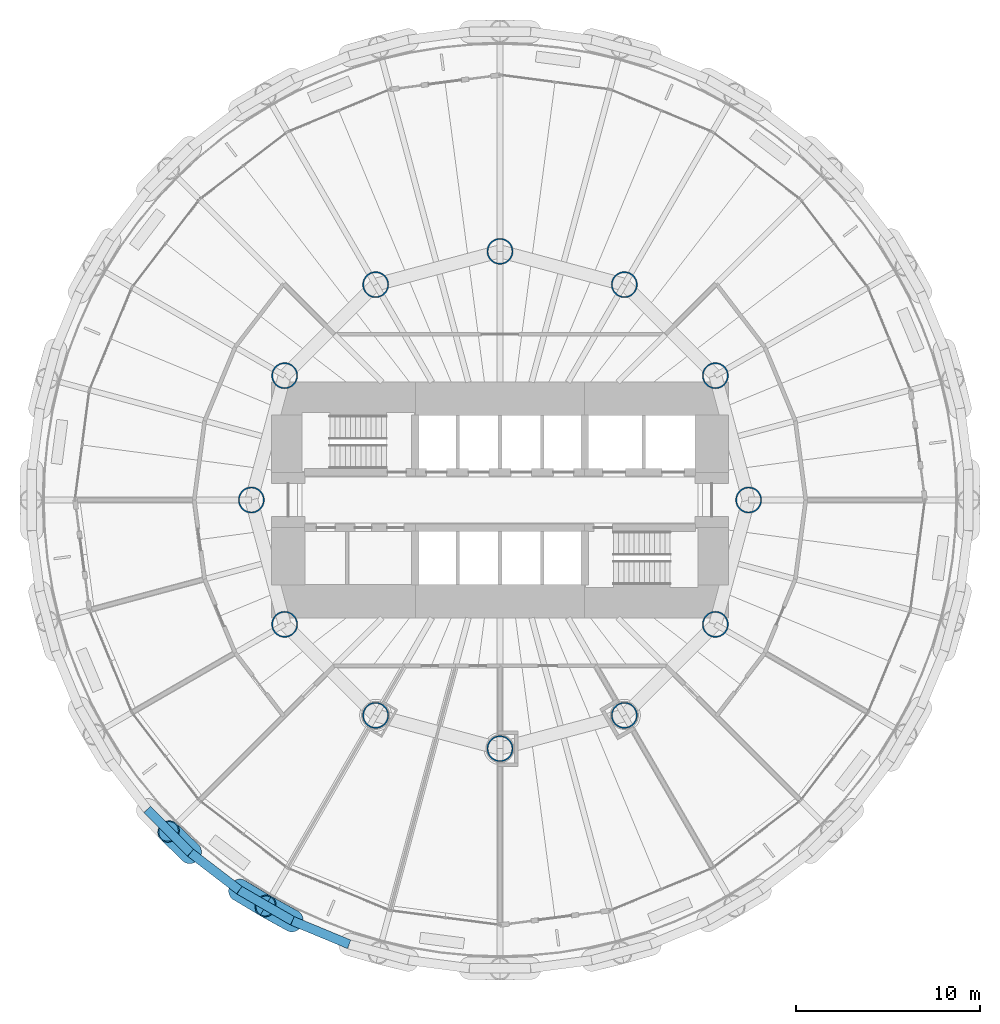
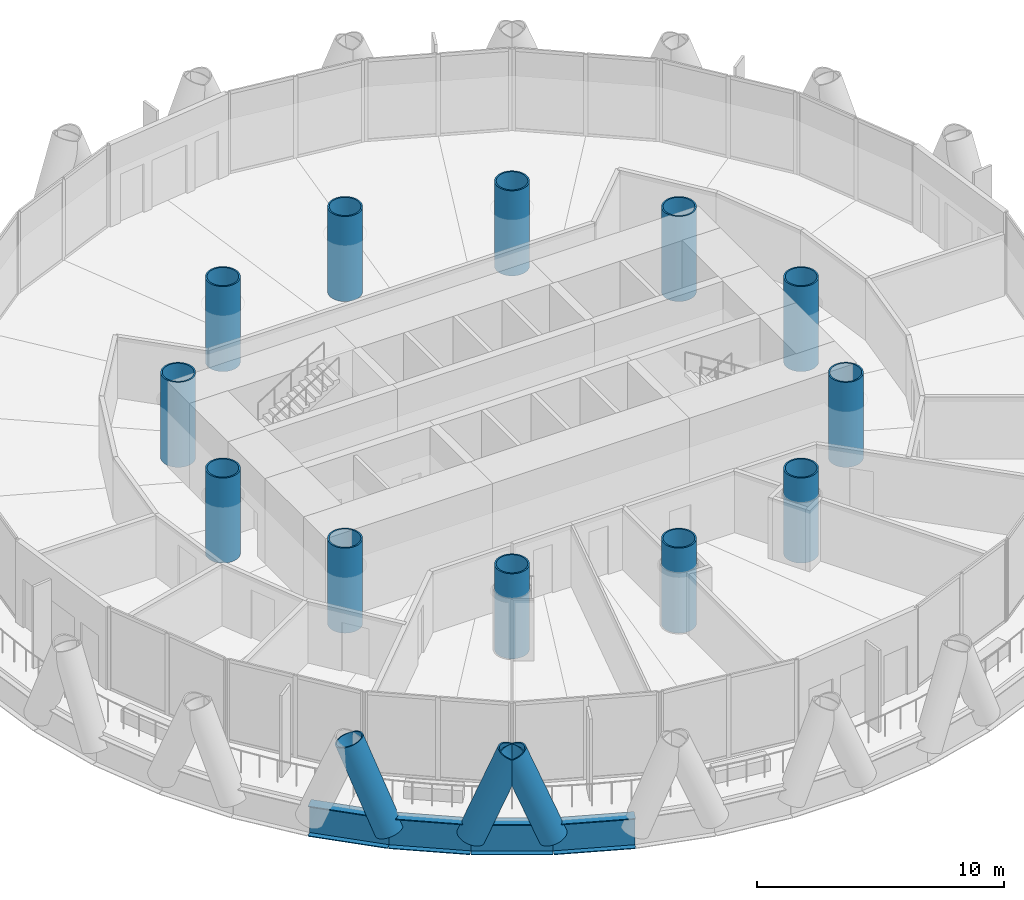
# One storey, part 1 of 16: 12 columns, 4 beams, 3 members.
"""IFC4 building model written with IfcOpenShell, lengths in metres."""

from ifc_helpers import new_model, si_unit, direction, frame, origin, origin_2d, place, context, subcontext, project, spatial, hollow_circle, i_section, extrude, material, material_profile, profile_set, type_object, element, save


model = new_model("IFC4")

# Units and contexts
model_context = context("Model", 3, precision=1e-05, world=origin(), true_north=direction((0.0, 1.0)))
body_context = subcontext(model_context, "Body", "Model", "MODEL_VIEW")
ifc_project = project(units=[si_unit("LENGTHUNIT", "METRE"), si_unit("AREAUNIT", "SQUARE_METRE"), si_unit("VOLUMEUNIT", "CUBIC_METRE"), si_unit("PLANEANGLEUNIT", "RADIAN"), si_unit("MASSUNIT", "GRAM", prefix="KILO")], contexts=[model_context])

# Site, building, storey
site_placement = place(None, origin())
site = spatial("IfcSite", under=ifc_project, at=site_placement, CompositionType="ELEMENT")
building_placement = place(site_placement, origin())
building = spatial("IfcBuilding", under=site, at=building_placement, Name="Qaws Media Tower", CompositionType="ELEMENT")
storey_placement = place(building_placement, frame((0.0, 0.0, 89.0)))
storey = spatial("IfcBuildingStorey", under=building, at=storey_placement, Name="L19", CompositionType="ELEMENT", Elevation=89.0)

# Columns
ifc_material_1 = material(Name="Steel S460", Category="steel")
ifc_material_profile_1 = material_profile(ifc_material_1, hollow_circle(Radius=0.7109375, WallThickness=0.070068359375, at=origin_2d()), Name="CHS 1422x70")
ifc_profile_set_1 = profile_set([ifc_material_profile_1], Name="Steel S460")
column_type = type_object("IfcColumnType", Name="Inner column CHS 1422x70", PredefinedType="COLUMN", material=ifc_profile_set_1)
for number, where, z_axis, x_axis, name in (
    (1, (73.5, 50.0, 0.0), (0.0, 0.0, 1.0), (1.0, 0.0, 0.0), "C5 inner column I01 L19"),
    (2, (71.69140625, 56.75, 0.0), (0.0, 0.0, 1.0), (1.0, 0.0, 0.0), "C5 inner column I02 L19"),
    (3, (66.75, 61.69140625, 0.0), (0.0, 0.0, 1.0), (1.0, 0.0, 0.0), "C5 inner column I03 L19"),
    (4, (60.0, 63.5, 0.0), (0.0, 0.0, 1.0), (1.0, 0.0, 0.0), "C5 inner column I04 L19"),
    (5, (53.25, 61.69140625, 0.0), (0.0, 0.0, 1.0), (1.0, 0.0, 0.0), "C5 inner column I05 L19"),
    (6, (48.30859375, 56.75, 0.0), (0.0, 0.0, 1.0), (1.0, 0.0, 0.0), "C5 inner column I06 L19"),
    (7, (46.5, 50.0, 0.0), (0.0, 0.0, 1.0), (1.0, 0.0, 0.0), "C5 inner column I07 L19"),
    (8, (48.30859375, 43.25, 0.0), (0.0, 0.0, 1.0), (1.0, 0.0, 0.0), "C5 inner column I08 L19"),
    (9, (53.25, 38.30859375, 0.0), (0.0, 0.0, 1.0), (1.0, 0.0, 0.0), "C5 inner column I09 L19"),
    (10, (60.0, 36.5, 0.0), (0.0, 0.0, 1.0), (1.0, 0.0, 0.0), "C5 inner column I10 L19"),
    (11, (66.75, 38.30859375, 0.0), (0.0, 0.0, 1.0), (1.0, 0.0, 0.0), "C5 inner column I11 L19"),
    (12, (71.69140625, 43.25, 0.0), (0.0, 0.0, 1.0), (1.0, 0.0, 0.0), "C5 inner column I12 L19"),
):
    element("IfcColumn", number, at=place(storey_placement, frame(where, z_axis=z_axis, x_axis=x_axis)), inside=storey, type_object=column_type, Name=name, PredefinedType="COLUMN", context=body_context, shape_type="SweptSolid", body=[
        extrude(hollow_circle(Radius=0.7109375, WallThickness=0.070068359375, at=origin_2d()), origin(), (0.0, 0.0, 1.0), 4.199951171875),
    ])

# Members
ifc_material_2 = material(Name="Steel S460", Category="steel")
ifc_material_profile_2 = material_profile(ifc_material_2, hollow_circle(Radius=0.609619140625, WallThickness=0.06005859375, at=origin_2d()), Name="CHS 1219x60")
ifc_profile_set_2 = profile_set([ifc_material_profile_2], Name="Steel S460")
member_type = type_object("IfcMemberType", Name="Diagrid member CHS 1219x60", PredefinedType="USERDEFINED", material=ifc_profile_set_2)
member_placement = place(storey_placement, frame((45.846923828125, 28.818359375, -0.909912109375), z_axis=(0.316036004254, -0.190032249438, 0.929520837953), x_axis=(0.515314314631, 0.857001258538, 0.0)))
element("IfcMember", 13, at=member_placement, inside=storey, type_object=member_type, Name="DG1 diagrid L19 A16", ObjectType="DIAGRID", PredefinedType="USERDEFINED", context=body_context, shape_type="SweptSolid", body=[
    extrude(hollow_circle(Radius=0.609619140625, WallThickness=0.06005859375, at=origin_2d()), origin(), (0.0, 0.0, 1.0), 4.518310546875),
])
for number, where, z_axis, x_axis, name in (
    (14, (43.203125, 30.846923828125, -0.909912109375), (-0.265351429728, 0.256111948057, 0.929513468866), (-0.694468998313, -0.719522626734, 0.0), "DG1 diagrid L19 B16"),
    (15, (48.732666015625, 27.152099609375, -0.909912109375), (-0.322620613661, 0.178735386031, 0.929499651114), (-0.484610207242, -0.874730213858, 0.0), "DG1 diagrid L19 B17"),
):
    element("IfcMember", number, at=place(storey_placement, frame(where, z_axis=z_axis, x_axis=x_axis)), inside=storey, type_object=member_type, Name=name, ObjectType="DIAGRID", PredefinedType="USERDEFINED", context=body_context, shape_type="SweptSolid", body=[
        extrude(hollow_circle(Radius=0.609619140625, WallThickness=0.06005859375, at=origin_2d()), origin(), (0.0, 0.0, 1.0), 4.5185546875),
    ])

# Beams
ifc_material_3 = material(Name="Steel S460", Category="steel")
ifc_material_profile_3 = material_profile(ifc_material_3, i_section(OverallWidth=0.5, OverallDepth=1.5, WebThickness=0.02001953125, FlangeThickness=0.0400390625, at=origin_2d()), Name="PG 1500x500")
ifc_profile_set_3 = profile_set([ifc_material_profile_3], Name="Steel S460")
beam_type = type_object("IfcBeamType", Name="Edge ring beam PG 1500x500", PredefinedType="BEAM", material=ifc_profile_set_3)
for number, where, z_axis, x_axis, name in (
    (16, (40.846923828125, 33.203125, -0.909912109375), (0.707106781187, -0.707106781187, 0.0), (0.707106781187, 0.707106781187, 0.0), "RB4 edge ring beam L19-30"),
    (17, (43.203125, 30.846923828125, -0.909912109375), (0.793366925649, -0.608743723817, 0.0), (0.608743723817, 0.793366925649, 0.0), "RB4 edge ring beam L19-31"),
    (18, (45.846923828125, 28.818359375, -0.909912109375), (0.866002566612, -0.500039553057, 0.0), (0.500039553057, 0.866002566612, 0.0), "RB4 edge ring beam L19-32"),
    (19, (48.732666015625, 27.152099609375, -0.909912109375), (0.923885568465, -0.38266885996, 0.0), (0.38266885996, 0.923885568465, 0.0), "RB4 edge ring beam L19-33"),
):
    element("IfcBeam", number, at=place(storey_placement, frame(where, z_axis=z_axis, x_axis=x_axis)), inside=storey, type_object=beam_type, Name=name, PredefinedType="BEAM", context=body_context, shape_type="SweptSolid", body=[
        extrude(i_section(OverallWidth=0.5, OverallDepth=1.5, WebThickness=0.02001953125, FlangeThickness=0.0400390625, at=origin_2d()), origin(), (0.0, 0.0, 1.0), 3.332275390625),
    ])

save(model, "model.ifc")
